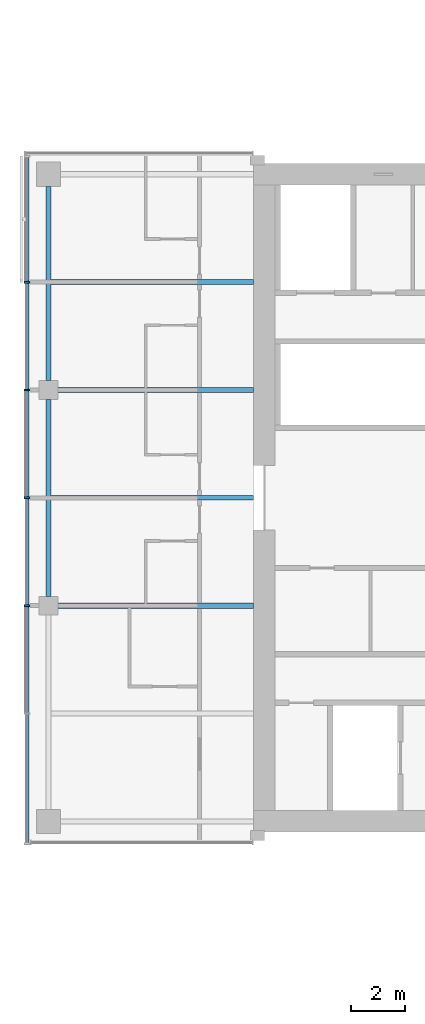
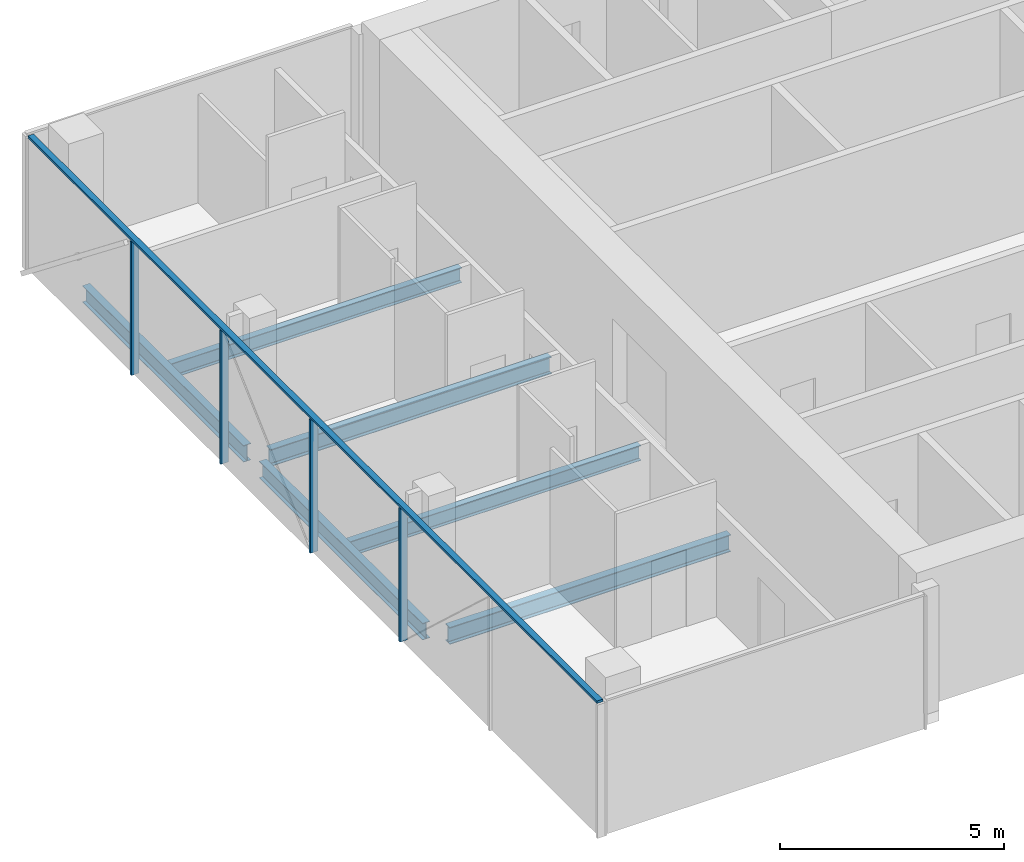
# One storey, part 6 of 27: 6 beams, 5 members, 1 element without a shape of its own.
"""IFC4 building model written with IfcOpenShell, lengths in metres."""

from ifc_helpers import new_model, si_unit, direction, frame, origin, origin_2d, place, context, subcontext, project, spatial, rectangle, i_section, extrude, material, material_profile, profile_set, type_object, element, aggregate, save


model = new_model("IFC4")

# Units and contexts
model_context = context("Model", 3, precision=1e-05, world=origin(), true_north=direction((0.0, 1.0)))
body_context = subcontext(model_context, "Body", "Model", "MODEL_VIEW")
ifc_project = project(units=[si_unit("LENGTHUNIT", "METRE"), si_unit("AREAUNIT", "SQUARE_METRE"), si_unit("VOLUMEUNIT", "CUBIC_METRE"), si_unit("PLANEANGLEUNIT", "RADIAN"), si_unit("MASSUNIT", "GRAM", prefix="KILO")], contexts=[model_context])

# Site, building, storey
site_placement = place(None, origin())
site = spatial("IfcSite", under=ifc_project, at=site_placement, CompositionType="ELEMENT")
building_placement = place(site_placement, origin())
building = spatial("IfcBuilding", under=site, at=building_placement, Name="Crosswind Convention Tower", CompositionType="ELEMENT")
storey_placement = place(building_placement, frame((0.0, 0.0, 94.199951171875)))
storey = spatial("IfcBuildingStorey", under=building, at=storey_placement, Name="L18", CompositionType="ELEMENT", Elevation=94.199951171875)

# Beams
ifc_material_1 = material(Name="Steel S355", Category="steel")
ifc_material_profile_1 = material_profile(ifc_material_1, i_section(OverallWidth=0.1904296875, OverallDepth=0.457275390625, WebThickness=0.009033203125, FlangeThickness=0.014404296875, FilletRadius=0.01025390625, at=origin_2d()), Name="UB 457x191x75")
ifc_profile_set_1 = profile_set([ifc_material_profile_1], Name="Steel S355")
beam_type_1 = type_object("IfcBeamType", Name="Edge beam UB 457x191x75", PredefinedType="SPANDREL", material=ifc_profile_set_1)
beam_1_placement = place(storey_placement, frame((89.0, 96.35009765625, -0.508544921875), z_axis=(0.0, 1.0, 0.0), x_axis=(-1.0, 0.0, 0.0)))
element("IfcBeam", 1, at=beam_1_placement, inside=storey, type_object=beam_type_1, Name="B17 L18 edge beam 2", PredefinedType="SPANDREL", context=body_context, shape_type="SweptSolid", body=[
    extrude(i_section(OverallWidth=0.1904296875, OverallDepth=0.457275390625, WebThickness=0.009033203125, FlangeThickness=0.014404296875, FilletRadius=0.01025390625, at=origin_2d()), origin(), (0.0, 0.0, 1.0), 7.2998046875),
])
beam_2_placement = place(storey_placement, frame((89.0, 104.35009765625, -0.508544921875), z_axis=(0.0, 1.0, 0.0), x_axis=(-1.0, 0.0, 0.0)))
element("IfcBeam", 2, at=beam_2_placement, inside=storey, type_object=beam_type_1, Name="B17 L18 edge beam 3", PredefinedType="SPANDREL", context=body_context, shape_type="SweptSolid", body=[
    extrude(i_section(OverallWidth=0.1904296875, OverallDepth=0.457275390625, WebThickness=0.009033203125, FlangeThickness=0.014404296875, FilletRadius=0.01025390625, at=origin_2d()), origin(), (0.0, 0.0, 1.0), 7.199951171875),
])
ifc_material_profile_2 = material_profile(ifc_material_1, i_section(OverallWidth=0.19189453125, OverallDepth=0.463623046875, WebThickness=0.010498046875, FlangeThickness=0.017578125, FilletRadius=0.01025390625, at=origin_2d()), Name="UB 457x191x90")
ifc_profile_set_2 = profile_set([ifc_material_profile_2], Name="Steel S355")
beam_type_2 = type_object("IfcBeamType", Name="Girder at core wall UB 457x191x90", PredefinedType="BEAM", material=ifc_profile_set_2)
for number, where, z_axis, x_axis, name in (
    (3, (89.35009765625, 96.0, -0.51171875), (1.0, 0.0, 0.0), (0.0, 1.0, 0.0), "B24 L18 girder at core wall 1"),
    (4, (89.35009765625, 104.0, -0.51171875), (1.0, 0.0, 0.0), (0.0, 1.0, 0.0), "B24 L18 girder at core wall 2"),
):
    element("IfcBeam", number, at=place(storey_placement, frame(where, z_axis=z_axis, x_axis=x_axis)), inside=storey, type_object=beam_type_2, Name=name, PredefinedType="BEAM", context=body_context, shape_type="SweptSolid", body=[
        extrude(i_section(OverallWidth=0.19189453125, OverallDepth=0.463623046875, WebThickness=0.010498046875, FlangeThickness=0.017578125, FilletRadius=0.01025390625, at=origin_2d()), origin(), (0.0, 0.0, 1.0), 7.25),
    ])

# Curtain wall, members
ifc_material_2 = material(Name="Aluminium unitised curtain wall", Category="aluminium")
curtain_wall_type = type_object("IfcCurtainWallType", Name="HOTEL UNITISED WALL 200", PredefinedType="USERDEFINED", material=ifc_material_2)
curtain_wall_placement = place(storey_placement, origin())
curtain_wall = element("IfcCurtainWall", 5, at=curtain_wall_placement, inside=storey, type_object=curtain_wall_type, Name="CW2 L18 W-TIP 1", ObjectType="UNITISED", PredefinedType="USERDEFINED")
ifc_material_3 = material(Name="Aluminium mullion", Category="aluminium")
ifc_material_profile_3 = material_profile(ifc_material_3, rectangle(XDim=0.199951171875, YDim=0.06494140625, at=origin_2d()), Name="AL 200X65")
ifc_profile_set_3 = profile_set([ifc_material_profile_3], Name="Aluminium mullion")
member_type_1 = type_object("IfcMemberType", Name="MULLION 65X200", PredefinedType="MULLION", material=ifc_profile_set_3)
member_1_placement = place(storey_placement, frame((88.199951171875, 108.0, -0.280029296875), z_axis=(0.0, 0.0, 1.0), x_axis=(-1.0, 0.0, 0.0)))
member_1 = element("IfcMember", 6, at=member_1_placement, type_object=member_type_1, Name="CW2 mullion 2", PredefinedType="MULLION", context=body_context, shape_type="SweptSolid", body=[
    extrude(rectangle(XDim=0.199951171875, YDim=0.06494140625, at=origin_2d()), origin(), (0.0, 0.0, 1.0), 3.635009765625),
])
member_2_placement = place(storey_placement, frame((88.199951171875, 104.0, -0.280029296875), z_axis=(0.0, 0.0, 1.0), x_axis=(-1.0, 0.0, 0.0)))
member_2 = element("IfcMember", 7, at=member_2_placement, type_object=member_type_1, Name="CW2 mullion 3", PredefinedType="MULLION", context=body_context, shape_type="SweptSolid", body=[
    extrude(rectangle(XDim=0.199951171875, YDim=0.06494140625, at=origin_2d()), origin(), (0.0, 0.0, 1.0), 3.635009765625),
])
member_3_placement = place(storey_placement, frame((88.199951171875, 100.0, -0.280029296875), z_axis=(0.0, 0.0, 1.0), x_axis=(-1.0, 0.0, 0.0)))
member_3 = element("IfcMember", 8, at=member_3_placement, type_object=member_type_1, Name="CW2 mullion 4", PredefinedType="MULLION", context=body_context, shape_type="SweptSolid", body=[
    extrude(rectangle(XDim=0.199951171875, YDim=0.06494140625, at=origin_2d()), origin(), (0.0, 0.0, 1.0), 3.635009765625),
])
member_4_placement = place(storey_placement, frame((88.199951171875, 96.0, -0.280029296875), z_axis=(0.0, 0.0, 1.0), x_axis=(-1.0, 0.0, 0.0)))
member_4 = element("IfcMember", 9, at=member_4_placement, type_object=member_type_1, Name="CW2 mullion 5", PredefinedType="MULLION", context=body_context, shape_type="SweptSolid", body=[
    extrude(rectangle(XDim=0.199951171875, YDim=0.06494140625, at=origin_2d()), origin(), (0.0, 0.0, 1.0), 3.635009765625),
])

# Beams
ifc_material_profile_4 = material_profile(ifc_material_1, i_section(OverallWidth=0.177734375, OverallDepth=0.406494140625, WebThickness=0.0078125, FlangeThickness=0.0126953125, FilletRadius=0.01025390625, at=origin_2d()), Name="UB 406x178x60")
ifc_profile_set_4 = profile_set([ifc_material_profile_4], Name="Steel S355")
beam_type_3 = type_object("IfcBeamType", Name="Secondary beam UB 406x178x60", PredefinedType="JOIST", material=ifc_profile_set_4)
for number, where, z_axis, x_axis, name in (
    (10, (89.09521484375, 100.0, -0.483154296875), (1.0, 0.0, 0.0), (0.0, 1.0, 0.0), "B10 L18 secondary beam 2"),
    (11, (89.09521484375, 108.0, -0.483154296875), (1.0, 0.0, 0.0), (0.0, 1.0, 0.0), "B10 L18 secondary beam 3"),
):
    element("IfcBeam", number, at=place(storey_placement, frame(where, z_axis=z_axis, x_axis=x_axis)), inside=storey, type_object=beam_type_3, Name=name, PredefinedType="JOIST", context=body_context, shape_type="SweptSolid", body=[
        extrude(i_section(OverallWidth=0.177734375, OverallDepth=0.406494140625, WebThickness=0.0078125, FlangeThickness=0.0126953125, FilletRadius=0.01025390625, at=origin_2d()), origin(), (0.0, 0.0, 1.0), 7.5048828125),
    ])

# Member
ifc_material_4 = material(Name="Aluminium transom", Category="aluminium")
ifc_material_profile_5 = material_profile(ifc_material_4, rectangle(XDim=0.14990234375, YDim=0.06494140625, at=origin_2d()), Name="AL 150X65")
ifc_profile_set_5 = profile_set([ifc_material_profile_5], Name="Aluminium transom")
member_type_2 = type_object("IfcMemberType", Name="TRANSOM 65X150", PredefinedType="USERDEFINED", material=ifc_profile_set_5)
member_5_placement = place(storey_placement, frame((88.199951171875, 112.635009765625, 3.387451171875), z_axis=(0.0, -1.0, 0.0), x_axis=(1.0, 0.0, 0.0)))
member_5 = element("IfcMember", 12, at=member_5_placement, type_object=member_type_2, Name="CW2 transom", ObjectType="TRANSOM", PredefinedType="USERDEFINED", context=body_context, shape_type="SweptSolid", body=[
    extrude(rectangle(XDim=0.14990234375, YDim=0.06494140625, at=origin_2d()), origin(), (0.0, 0.0, 1.0), 25.429931640625),
])

aggregate(curtain_wall, [member_1, member_2, member_3, member_4, member_5])

save(model, "model.ifc")
